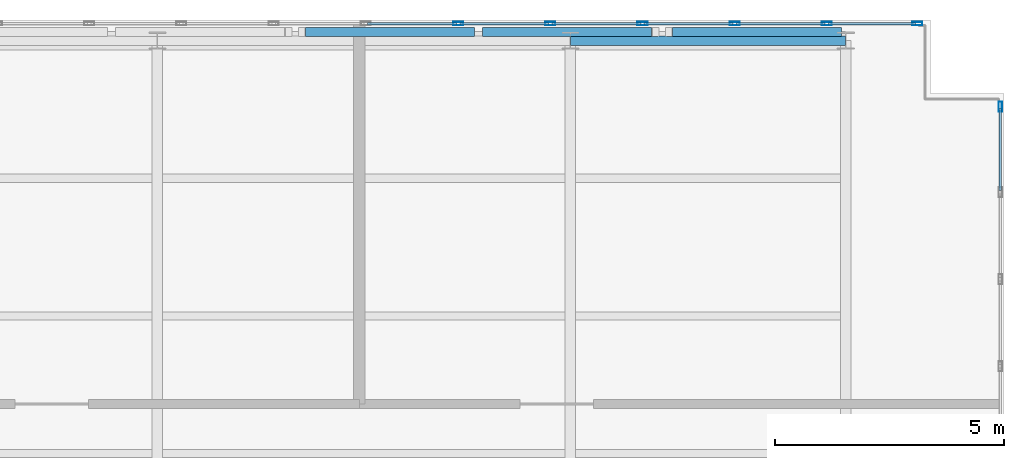
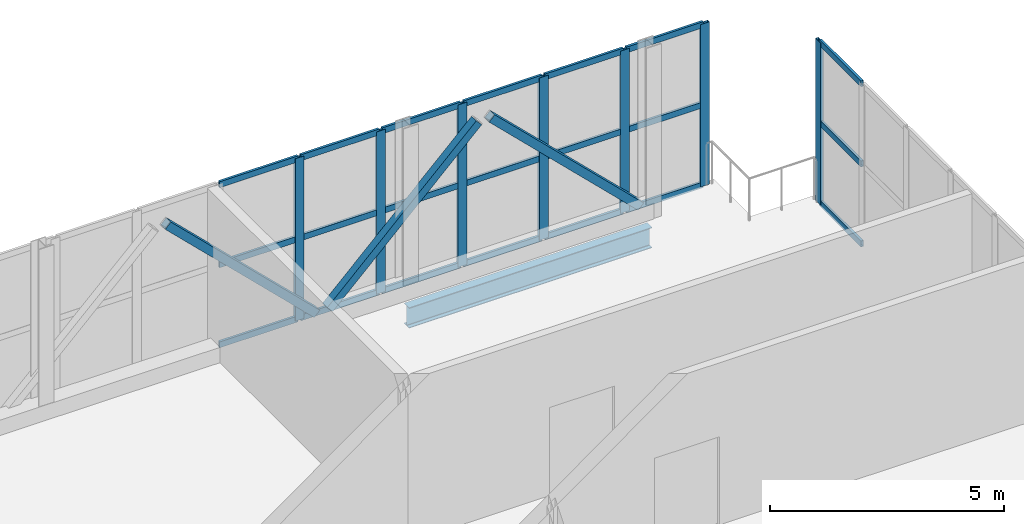
# One storey, part 15 of 21: 31 members, 1 beam, 2 elements without a shape of their own.
"""IFC4 building model written with IfcOpenShell, lengths in metres."""

import ifcopenshell
import ifcopenshell.guid

model = None  # the IFC model being written
_history = None  # IfcOwnerHistory: only IFC2X3 demands one
_inside = {}  # id of a spatial element -> (the spatial element, [elements in it])
_under = {}  # id of a project, library or spatial element -> (it, [spatial elements below it])
_declared = {}  # id of a project -> (the project, [libraries it declares])
_typed = {}  # id of a type object -> (the type object, [elements of that type])
_made_of = {}  # id of a material, layer set ... -> (it, [elements and type objects made of it])


def new_model(schema):
    """Start an empty IFC model of exactly this schema.

    Asked for "IFC4X3", IfcOpenShell would pick the latest addendum, in which some entities
    have other attributes; the version numbers below select the first issue.
    IFC2X3 requires an IfcOwnerHistory on every rooted entity: one is made here for all.
    """
    global model, _history
    if schema == "IFC4X3":
        model = ifcopenshell.file(schema_version=(4, 3, 0, 0))
    else:
        model = ifcopenshell.file(schema=schema)
    _inside.clear()
    _under.clear()
    _declared.clear()
    _typed.clear()
    _made_of.clear()
    _history = None
    if model.schema == "IFC2X3":
        org = make("IfcOrganization", Name="unknown")
        user = make(
            "IfcPersonAndOrganization",
            ThePerson=make("IfcPerson", FamilyName="unknown"),
            TheOrganization=org,
        )
        app = make(
            "IfcApplication",
            ApplicationDeveloper=org,
            Version="unknown",
            ApplicationFullName="unknown",
            ApplicationIdentifier="unknown",
        )
        _history = make(
            "IfcOwnerHistory",
            OwningUser=user,
            OwningApplication=app,
            ChangeAction="ADDED",
            CreationDate=0,
        )
    return model


def make(cls, **values):
    """One entity of the class cls with the attributes given. An attribute that is None is left unset."""
    return model.create_entity(
        cls, **{name: value for name, value in values.items() if value is not None}
    )


def rooted(cls, **values):
    """An entity with a GlobalId (a new one), such as an element, a storey or a relation."""
    return make(cls, GlobalId=ifcopenshell.guid.new(), OwnerHistory=_history, **values)


def si_unit(unit_type, name, prefix=None):
    """IfcSIUnit, for example si_unit("LENGTHUNIT", "METRE", prefix="MILLI")."""
    return make("IfcSIUnit", UnitType=unit_type, Prefix=prefix, Name=name)


def assignment(units):
    """IfcUnitAssignment: the units of a project."""
    return None if units is None else make("IfcUnitAssignment", Units=units)


def point(xyz):
    """IfcCartesianPoint."""
    return None if xyz is None else make("IfcCartesianPoint", Coordinates=xyz)


def direction(xyz):
    """IfcDirection."""
    return None if xyz is None else make("IfcDirection", DirectionRatios=xyz)


def frame(location, z_axis=None, x_axis=None):
    """IfcAxis2Placement3D, a coordinate frame: its origin and axes. An axis left out is left unset."""
    return make(
        "IfcAxis2Placement3D",
        Location=point(location),
        Axis=direction(z_axis),
        RefDirection=direction(x_axis),
    )


def frame_2d(location, x_axis=None):
    """IfcAxis2Placement2D, a coordinate frame in the plane: its origin and x axis."""
    return make(
        "IfcAxis2Placement2D", Location=point(location), RefDirection=direction(x_axis)
    )


def origin():
    """The frame at (0, 0, 0) with its axes left unset."""
    return frame((0.0, 0.0, 0.0))


def origin_2d():
    """The frame at (0, 0) in the plane with its x axis left unset."""
    return frame_2d((0.0, 0.0))


def place(relative_to, where):
    """IfcLocalPlacement: puts the frame where relative to a parent placement (None: the world)."""
    return make(
        "IfcLocalPlacement", PlacementRelTo=relative_to, RelativePlacement=where
    )


def context(
    kind, dimensions, precision=None, world=None, true_north=None, identifier=None
):
    """IfcGeometricRepresentationContext, for example the 3D "Model" context."""
    return make(
        "IfcGeometricRepresentationContext",
        ContextIdentifier=identifier,
        ContextType=kind,
        CoordinateSpaceDimension=dimensions,
        Precision=precision,
        WorldCoordinateSystem=world,
        TrueNorth=true_north,
    )


def subcontext(parent, identifier, kind, view, scale=None):
    """IfcGeometricRepresentationSubContext, for example "Body" below "Model"."""
    return make(
        "IfcGeometricRepresentationSubContext",
        ContextIdentifier=identifier,
        ContextType=kind,
        ParentContext=parent,
        TargetScale=scale,
        TargetView=view,
    )


def project(units=None, contexts=None):
    """IfcProject with its units and contexts."""
    return rooted(
        "IfcProject",
        Name="project",
        RepresentationContexts=contexts,
        UnitsInContext=assignment(units),
    )


def spatial(cls, under=None, at=None, **own):
    """A site, building, storey or space (cls), placed at a placement, below another one or the project."""
    s = rooted(cls, ObjectPlacement=at, **own)
    if under is not None:
        _under.setdefault(under.id(), (under, []))[1].append(s)
    return s


def profile(cls, at=None, kind="AREA", **sizes):
    """A parametric profile (cls). Its sizes go by their IFC names, for example OverallWidth=200.0."""
    return make(cls, ProfileType=kind, Position=at, **sizes)


def hollow_rectangle(**sizes):
    """IfcRectangleHollowProfileDef."""
    return profile("IfcRectangleHollowProfileDef", **sizes)


def i_section(**sizes):
    """IfcIShapeProfileDef."""
    return profile("IfcIShapeProfileDef", **sizes)


def extrude(swept, where, along, depth):
    """IfcExtrudedAreaSolid: the profile swept, set in the frame where, extruded along a direction by depth."""
    return make(
        "IfcExtrudedAreaSolid",
        SweptArea=swept,
        Position=where,
        ExtrudedDirection=direction(along),
        Depth=depth,
    )


def shape(context_of_items, identifier, shape_type, items):
    """IfcShapeRepresentation: the items that make up one representation, for example the "Body"."""
    return make(
        "IfcShapeRepresentation",
        ContextOfItems=context_of_items,
        RepresentationIdentifier=identifier,
        RepresentationType=shape_type,
        Items=items,
    )


def material(Name=None, Category=None):
    """IfcMaterial."""
    return make("IfcMaterial", Name=Name, Category=Category)


def layer(
    of_material, thickness, ventilated=None, Name=None, Category=None, Priority=None
):
    """IfcMaterialLayer: one layer of a wall or slab, of a material (None: an air gap)."""
    return make(
        "IfcMaterialLayer",
        Material=of_material,
        LayerThickness=thickness,
        IsVentilated=ventilated,
        Name=Name,
        Category=Category,
        Priority=Priority,
    )


def layer_set(layers, Name=None):
    """IfcMaterialLayerSet."""
    return make("IfcMaterialLayerSet", MaterialLayers=layers, LayerSetName=Name)


def material_profile(
    of_material, cross_section, Name=None, Category=None, Priority=None
):
    """IfcMaterialProfile: a cross section and its material."""
    return make(
        "IfcMaterialProfile",
        Name=Name,
        Material=of_material,
        Profile=cross_section,
        Priority=Priority,
        Category=Category,
    )


def profile_set(profiles, Name=None, composite=None):
    """IfcMaterialProfileSet."""
    return make(
        "IfcMaterialProfileSet",
        Name=Name,
        MaterialProfiles=profiles,
        CompositeProfile=composite,
    )


def made_of(thing, what):
    """Note that an element or type object is made of a material, layer set ...; save() writes the relation."""
    if what is not None:
        _made_of.setdefault(what.id(), (what, []))[1].append(thing)
    return thing


def type_object(cls, material=None, **own):
    """A type object (cls), such as IfcWallType, which elements share."""
    return made_of(rooted(cls, **own), material)


def element(
    cls,
    number,
    at=None,
    inside=None,
    cuts=None,
    type_object=None,
    material=None,
    context=None,
    identifier="Body",
    shape_type=None,
    held_by="IfcProductDefinitionShape",
    body=None,
    shapes=None,
    **own,
):
    """One element of the class cls, such as IfcWall. Its Tag is "e" and its number.

    at: its placement. inside: the storey or other place that contains it. cuts: it is an
    opening in that element (IfcRelVoidsElement). A single representation is given by context,
    identifier, shape_type and body (its items); several are given by shapes. held_by: the class
    of the entity that holds the representations. save() writes the other relations.
    """
    e = rooted(cls, Tag="e%d" % number, ObjectPlacement=at, **own)
    if body is not None:
        shapes = [shape(context, identifier, shape_type, body)]
    if shapes is not None:
        e.Representation = make(held_by, Representations=shapes)
    if inside is not None:
        _inside.setdefault(inside.id(), (inside, []))[1].append(e)
    if cuts is not None:
        rooted(
            "IfcRelVoidsElement", RelatingBuildingElement=cuts, RelatedOpeningElement=e
        )
    if type_object is not None:
        _typed.setdefault(type_object.id(), (type_object, []))[1].append(e)
    return made_of(e, material)


def aggregate(whole, parts):
    """IfcRelAggregates: a whole, such as a stair, and the parts it consists of."""
    return rooted("IfcRelAggregates", RelatingObject=whole, RelatedObjects=parts)


def save(model, path):
    """Write the relations noted so far, then the file.

    IfcRelAggregates (storeys below a building ...), IfcRelContainedInSpatialStructure (elements
    in a storey), IfcRelDefinesByType, IfcRelAssociatesMaterial and IfcRelDeclares: one each for
    every whole, place, type object, material and project.
    """
    for whole, parts in _under.values():
        aggregate(whole, parts)
    for where, things in _inside.values():
        rooted(
            "IfcRelContainedInSpatialStructure",
            RelatedElements=things,
            RelatingStructure=where,
        )
    for kind, things in _typed.values():
        rooted("IfcRelDefinesByType", RelatedObjects=things, RelatingType=kind)
    for what, things in _made_of.values():
        rooted("IfcRelAssociatesMaterial", RelatedObjects=things, RelatingMaterial=what)
    for by, libraries in _declared.values():
        rooted("IfcRelDeclares", RelatingContext=by, RelatedDefinitions=libraries)
    model.write(path)


model = new_model("IFC4")

# Units and contexts
model_context = context("Model", 3, precision=1e-05, world=origin(), true_north=direction((0.0, 1.0)))
body_context = subcontext(model_context, "Body", "Model", "MODEL_VIEW")
ifc_project = project(units=[si_unit("LENGTHUNIT", "METRE"), si_unit("AREAUNIT", "SQUARE_METRE"), si_unit("VOLUMEUNIT", "CUBIC_METRE"), si_unit("PLANEANGLEUNIT", "RADIAN"), si_unit("MASSUNIT", "GRAM", prefix="KILO")], contexts=[model_context])

# Site, building, storey
site_placement = place(None, origin())
site = spatial("IfcSite", under=ifc_project, at=site_placement, CompositionType="ELEMENT")
building_placement = place(site_placement, origin())
building = spatial("IfcBuilding", under=site, at=building_placement, Name="Mawjdan Bourse Tower", CompositionType="ELEMENT")
storey_placement = place(building_placement, frame((0.0, 0.0, 317.699951171875)))
storey = spatial("IfcBuildingStorey", under=building, at=storey_placement, Name="L78", CompositionType="ELEMENT", Elevation=317.699951171875)

# Members
ifc_material_1 = material(Name="Structural Steel S355", Category="steel")
ifc_material_profile_1 = material_profile(ifc_material_1, hollow_rectangle(XDim=0.199951171875, YDim=0.199951171875, WallThickness=0.010009765625, at=origin_2d()), Name="HSS200X200X10")
ifc_profile_set_1 = profile_set([ifc_material_profile_1], Name="Structural Steel S355")
member_type_1 = type_object("IfcMemberType", Name="BRC-HSS200X200X10", PredefinedType="BRACE", material=ifc_profile_set_1)
for number, where, z_axis, x_axis, name in (
    (1, (36.159912109375, 21.18994140625, 3.7900390625), (0.715813788729, 0.0, -0.698291214227), (0.0, 1.0, 0.0), "L78 Lantern Crown Braced Frame North Diagonal 4"),
    (2, (40.159912109375, 21.18994140625, 0.199951171875), (0.715813788729, 0.0, 0.698291214227), (0.0, 1.0, 0.0), "L78 Lantern Crown Braced Frame North Diagonal 5"),
    (3, (44.159912109375, 21.18994140625, 3.7900390625), (0.715813788729, 0.0, -0.698291214227), (0.0, 1.0, 0.0), "L78 Lantern Crown Braced Frame North Diagonal 6"),
):
    element("IfcMember", number, at=place(storey_placement, frame(where, z_axis=z_axis, x_axis=x_axis)), inside=storey, type_object=member_type_1, Name=name, PredefinedType="BRACE", context=body_context, shape_type="SweptSolid", body=[
        extrude(hollow_rectangle(XDim=0.199951171875, YDim=0.199951171875, WallThickness=0.010009765625, at=origin_2d()), origin(), (0.0, 0.0, 1.0), 5.141357421875),
    ])

# Curtain wall, member
ifc_material_2 = material(Name="Thermally Broken Aluminium and Solar Glass", Category="aluminium")
ifc_layer = layer(ifc_material_2, 0.219970703125)
ifc_layer_set = layer_set([ifc_layer], Name="Thermally Broken Aluminium and Solar Glass")
curtain_wall_type = type_object("IfcCurtainWallType", Name="CW-CRN", PredefinedType="USERDEFINED", material=ifc_layer_set)
curtain_wall_1_placement = place(storey_placement, origin())
curtain_wall_1 = element("IfcCurtainWall", 4, at=curtain_wall_1_placement, inside=storey, type_object=curtain_wall_type, Name="L78 Lantern Crown East Curtain Wall", ObjectType="LANTERN GLAZED CROWN", PredefinedType="USERDEFINED")
ifc_material_3 = material(Name="Thermally Broken Anodised Aluminium", Category="aluminium")
ifc_material_profile_2 = material_profile(ifc_material_3, hollow_rectangle(XDim=0.074951171875, YDim=0.219970703125, WallThickness=0.0048828125, at=origin_2d()), Name="ALU-MUL-220X75")
ifc_profile_set_2 = profile_set([ifc_material_profile_2], Name="Thermally Broken Anodised Aluminium")
member_type_2 = type_object("IfcMemberType", Name="MUL-ALU-MUL-220X75", PredefinedType="MULLION", material=ifc_profile_set_2)
member_1_placement = place(storey_placement, frame((51.3701171875, 19.5625, 0.0), z_axis=(0.0, 0.0, 1.0), x_axis=(-1.0, 0.0, 0.0)))
member_1 = element("IfcMember", 5, at=member_1_placement, type_object=member_type_2, Name="CW-CRN-L78-CRN-E mullion 9", PredefinedType="MULLION", context=body_context, shape_type="SweptSolid", body=[
    extrude(hollow_rectangle(XDim=0.074951171875, YDim=0.219970703125, WallThickness=0.0048828125, at=origin_2d()), origin(), (0.0, 0.0, 1.0), 4.239990234375),
])

# Curtain wall, members
curtain_wall_2_placement = place(storey_placement, origin())
curtain_wall_2 = element("IfcCurtainWall", 6, at=curtain_wall_2_placement, inside=storey, type_object=curtain_wall_type, Name="L78 Lantern Crown North Curtain Wall", ObjectType="LANTERN GLAZED CROWN", PredefinedType="USERDEFINED")
member_2_placement = place(storey_placement, frame((49.5625, 21.3701171875, 0.0), z_axis=(0.0, 0.0, 1.0), x_axis=(0.0, -1.0, 0.0)))
member_2 = element("IfcMember", 7, at=member_2_placement, type_object=member_type_2, Name="CW-CRN-L78-CRN-N mullion 1", PredefinedType="MULLION", context=body_context, shape_type="SweptSolid", body=[
    extrude(hollow_rectangle(XDim=0.074951171875, YDim=0.219970703125, WallThickness=0.0048828125, at=origin_2d()), origin(), (0.0, 0.0, 1.0), 4.239990234375),
])
member_3_placement = place(storey_placement, frame((47.590576171875, 21.3701171875, 0.0), z_axis=(0.0, 0.0, 1.0), x_axis=(0.0, -1.0, 0.0)))
member_3 = element("IfcMember", 8, at=member_3_placement, type_object=member_type_2, Name="CW-CRN-L78-CRN-N mullion 2", PredefinedType="MULLION", context=body_context, shape_type="SweptSolid", body=[
    extrude(hollow_rectangle(XDim=0.074951171875, YDim=0.219970703125, WallThickness=0.0048828125, at=origin_2d()), origin(), (0.0, 0.0, 1.0), 4.239990234375),
])
member_4_placement = place(storey_placement, frame((45.5810546875, 21.3701171875, 0.0), z_axis=(0.0, 0.0, 1.0), x_axis=(0.0, -1.0, 0.0)))
member_4 = element("IfcMember", 9, at=member_4_placement, type_object=member_type_2, Name="CW-CRN-L78-CRN-N mullion 3", PredefinedType="MULLION", context=body_context, shape_type="SweptSolid", body=[
    extrude(hollow_rectangle(XDim=0.074951171875, YDim=0.219970703125, WallThickness=0.0048828125, at=origin_2d()), origin(), (0.0, 0.0, 1.0), 4.239990234375),
])
member_5_placement = place(storey_placement, frame((43.571533203125, 21.3701171875, 0.0), z_axis=(0.0, 0.0, 1.0), x_axis=(0.0, -1.0, 0.0)))
member_5 = element("IfcMember", 10, at=member_5_placement, type_object=member_type_2, Name="CW-CRN-L78-CRN-N mullion 4", PredefinedType="MULLION", context=body_context, shape_type="SweptSolid", body=[
    extrude(hollow_rectangle(XDim=0.074951171875, YDim=0.219970703125, WallThickness=0.0048828125, at=origin_2d()), origin(), (0.0, 0.0, 1.0), 4.239990234375),
])
member_6_placement = place(storey_placement, frame((41.56201171875, 21.3701171875, 0.0), z_axis=(0.0, 0.0, 1.0), x_axis=(0.0, -1.0, 0.0)))
member_6 = element("IfcMember", 11, at=member_6_placement, type_object=member_type_2, Name="CW-CRN-L78-CRN-N mullion 5", PredefinedType="MULLION", context=body_context, shape_type="SweptSolid", body=[
    extrude(hollow_rectangle(XDim=0.074951171875, YDim=0.219970703125, WallThickness=0.0048828125, at=origin_2d()), origin(), (0.0, 0.0, 1.0), 4.239990234375),
])
member_7_placement = place(storey_placement, frame((39.552490234375, 21.3701171875, 0.0), z_axis=(0.0, 0.0, 1.0), x_axis=(0.0, -1.0, 0.0)))
member_7 = element("IfcMember", 12, at=member_7_placement, type_object=member_type_2, Name="CW-CRN-L78-CRN-N mullion 6", PredefinedType="MULLION", context=body_context, shape_type="SweptSolid", body=[
    extrude(hollow_rectangle(XDim=0.074951171875, YDim=0.219970703125, WallThickness=0.0048828125, at=origin_2d()), origin(), (0.0, 0.0, 1.0), 4.239990234375),
])

# Beam
ifc_material_profile_3 = material_profile(ifc_material_1, i_section(OverallWidth=0.2099609375, OverallDepth=0.537109375, WebThickness=0.010986328125, FlangeThickness=0.017333984375, FilletRadius=0.013916015625, at=origin_2d()), Name="W21X68")
ifc_profile_set_3 = profile_set([ifc_material_profile_3], Name="Structural Steel S355")
beam_type = type_object("IfcBeamType", Name="SPN-W21X68", PredefinedType="SPANDREL", material=ifc_profile_set_3)
beam_placement = place(storey_placement, frame((42.0, 21.0, -0.54833984375), z_axis=(1.0, 0.0, 0.0), x_axis=(0.0, 1.0, 0.0)))
element("IfcBeam", 13, at=beam_placement, inside=storey, type_object=beam_type, Name="L78 Perimeter Masonry-Shelf Spandrel 010", PredefinedType="SPANDREL", context=body_context, shape_type="SweptSolid", body=[
    extrude(i_section(OverallWidth=0.2099609375, OverallDepth=0.537109375, WebThickness=0.010986328125, FlangeThickness=0.017333984375, FilletRadius=0.013916015625, at=origin_2d()), origin(), (0.0, 0.0, 1.0), 6.0),
])

# Member
ifc_material_profile_4 = material_profile(ifc_material_3, hollow_rectangle(XDim=0.06005859375, YDim=0.155029296875, WallThickness=0.00390625, at=origin_2d()), Name="ALU-TRN-155X60")
ifc_profile_set_4 = profile_set([ifc_material_profile_4], Name="Thermally Broken Anodised Aluminium")
member_type_3 = type_object("IfcMemberType", Name="TRN-ALU-TRN-155X60", PredefinedType="USERDEFINED", material=ifc_profile_set_4)
member_8_placement = place(storey_placement, frame((51.3701171875, 17.737548828125, 0.030029296875), z_axis=(0.0, 1.0, 0.0), x_axis=(-1.0, 0.0, 0.0)))
member_8 = element("IfcMember", 14, at=member_8_placement, type_object=member_type_3, Name="CW-CRN-L78-CRN-E transom 8.1", ObjectType="TRANSOM", PredefinedType="USERDEFINED", context=body_context, shape_type="SweptSolid", body=[
    extrude(hollow_rectangle(XDim=0.06005859375, YDim=0.155029296875, WallThickness=0.00390625, at=origin_2d()), origin(), (0.0, 0.0, 1.0), 1.787353515625),
])

member_9_placement = place(storey_placement, frame((51.3701171875, 17.737548828125, 2.1201171875), z_axis=(0.0, 1.0, 0.0), x_axis=(-1.0, 0.0, 0.0)))
member_9 = element("IfcMember", 15, at=member_9_placement, type_object=member_type_3, Name="CW-CRN-L78-CRN-E transom 8.2", ObjectType="TRANSOM", PredefinedType="USERDEFINED", context=body_context, shape_type="SweptSolid", body=[
    extrude(hollow_rectangle(XDim=0.06005859375, YDim=0.155029296875, WallThickness=0.00390625, at=origin_2d()), origin(), (0.0, 0.0, 1.0), 1.787353515625),
])

member_10_placement = place(storey_placement, frame((51.3701171875, 17.737548828125, 4.2099609375), z_axis=(0.0, 1.0, 0.0), x_axis=(-1.0, 0.0, 0.0)))
member_10 = element("IfcMember", 16, at=member_10_placement, type_object=member_type_3, Name="CW-CRN-L78-CRN-E transom 8.3", ObjectType="TRANSOM", PredefinedType="USERDEFINED", context=body_context, shape_type="SweptSolid", body=[
    extrude(hollow_rectangle(XDim=0.06005859375, YDim=0.155029296875, WallThickness=0.00390625, at=origin_2d()), origin(), (0.0, 0.0, 1.0), 1.787353515625),
])

aggregate(curtain_wall_1, [member_1, member_8, member_9, member_10])

member_11_placement = place(storey_placement, frame((49.52490234375, 21.3701171875, 0.030029296875), z_axis=(-1.0, 0.0, 0.0), x_axis=(0.0, -1.0, 0.0)))
member_11 = element("IfcMember", 17, at=member_11_placement, type_object=member_type_3, Name="CW-CRN-L78-CRN-N transom 1.1", ObjectType="TRANSOM", PredefinedType="USERDEFINED", context=body_context, shape_type="SweptSolid", body=[
    extrude(hollow_rectangle(XDim=0.06005859375, YDim=0.155029296875, WallThickness=0.00390625, at=origin_2d()), origin(), (0.0, 0.0, 1.0), 1.89697265625),
])

member_12_placement = place(storey_placement, frame((49.52490234375, 21.3701171875, 2.1201171875), z_axis=(-1.0, 0.0, 0.0), x_axis=(0.0, -1.0, 0.0)))
member_12 = element("IfcMember", 18, at=member_12_placement, type_object=member_type_3, Name="CW-CRN-L78-CRN-N transom 1.2", ObjectType="TRANSOM", PredefinedType="USERDEFINED", context=body_context, shape_type="SweptSolid", body=[
    extrude(hollow_rectangle(XDim=0.06005859375, YDim=0.155029296875, WallThickness=0.00390625, at=origin_2d()), origin(), (0.0, 0.0, 1.0), 1.89697265625),
])

member_13_placement = place(storey_placement, frame((49.52490234375, 21.3701171875, 4.2099609375), z_axis=(-1.0, 0.0, 0.0), x_axis=(0.0, -1.0, 0.0)))
member_13 = element("IfcMember", 19, at=member_13_placement, type_object=member_type_3, Name="CW-CRN-L78-CRN-N transom 1.3", ObjectType="TRANSOM", PredefinedType="USERDEFINED", context=body_context, shape_type="SweptSolid", body=[
    extrude(hollow_rectangle(XDim=0.06005859375, YDim=0.155029296875, WallThickness=0.00390625, at=origin_2d()), origin(), (0.0, 0.0, 1.0), 1.89697265625),
])

member_14_placement = place(storey_placement, frame((47.552978515625, 21.3701171875, 0.030029296875), z_axis=(-1.0, 0.0, 0.0), x_axis=(0.0, -1.0, 0.0)))
member_14 = element("IfcMember", 20, at=member_14_placement, type_object=member_type_3, Name="CW-CRN-L78-CRN-N transom 2.1", ObjectType="TRANSOM", PredefinedType="USERDEFINED", context=body_context, shape_type="SweptSolid", body=[
    extrude(hollow_rectangle(XDim=0.06005859375, YDim=0.155029296875, WallThickness=0.00390625, at=origin_2d()), origin(), (0.0, 0.0, 1.0), 1.9345703125),
])

member_15_placement = place(storey_placement, frame((47.552978515625, 21.3701171875, 2.1201171875), z_axis=(-1.0, 0.0, 0.0), x_axis=(0.0, -1.0, 0.0)))
member_15 = element("IfcMember", 21, at=member_15_placement, type_object=member_type_3, Name="CW-CRN-L78-CRN-N transom 2.2", ObjectType="TRANSOM", PredefinedType="USERDEFINED", context=body_context, shape_type="SweptSolid", body=[
    extrude(hollow_rectangle(XDim=0.06005859375, YDim=0.155029296875, WallThickness=0.00390625, at=origin_2d()), origin(), (0.0, 0.0, 1.0), 1.9345703125),
])

member_16_placement = place(storey_placement, frame((47.552978515625, 21.3701171875, 4.2099609375), z_axis=(-1.0, 0.0, 0.0), x_axis=(0.0, -1.0, 0.0)))
member_16 = element("IfcMember", 22, at=member_16_placement, type_object=member_type_3, Name="CW-CRN-L78-CRN-N transom 2.3", ObjectType="TRANSOM", PredefinedType="USERDEFINED", context=body_context, shape_type="SweptSolid", body=[
    extrude(hollow_rectangle(XDim=0.06005859375, YDim=0.155029296875, WallThickness=0.00390625, at=origin_2d()), origin(), (0.0, 0.0, 1.0), 1.9345703125),
])

member_17_placement = place(storey_placement, frame((45.54345703125, 21.3701171875, 0.030029296875), z_axis=(-1.0, 0.0, 0.0), x_axis=(0.0, -1.0, 0.0)))
member_17 = element("IfcMember", 23, at=member_17_placement, type_object=member_type_3, Name="CW-CRN-L78-CRN-N transom 3.1", ObjectType="TRANSOM", PredefinedType="USERDEFINED", context=body_context, shape_type="SweptSolid", body=[
    extrude(hollow_rectangle(XDim=0.06005859375, YDim=0.155029296875, WallThickness=0.00390625, at=origin_2d()), origin(), (0.0, 0.0, 1.0), 1.9345703125),
])

member_18_placement = place(storey_placement, frame((45.54345703125, 21.3701171875, 2.1201171875), z_axis=(-1.0, 0.0, 0.0), x_axis=(0.0, -1.0, 0.0)))
member_18 = element("IfcMember", 24, at=member_18_placement, type_object=member_type_3, Name="CW-CRN-L78-CRN-N transom 3.2", ObjectType="TRANSOM", PredefinedType="USERDEFINED", context=body_context, shape_type="SweptSolid", body=[
    extrude(hollow_rectangle(XDim=0.06005859375, YDim=0.155029296875, WallThickness=0.00390625, at=origin_2d()), origin(), (0.0, 0.0, 1.0), 1.9345703125),
])

member_19_placement = place(storey_placement, frame((45.54345703125, 21.3701171875, 4.2099609375), z_axis=(-1.0, 0.0, 0.0), x_axis=(0.0, -1.0, 0.0)))
member_19 = element("IfcMember", 25, at=member_19_placement, type_object=member_type_3, Name="CW-CRN-L78-CRN-N transom 3.3", ObjectType="TRANSOM", PredefinedType="USERDEFINED", context=body_context, shape_type="SweptSolid", body=[
    extrude(hollow_rectangle(XDim=0.06005859375, YDim=0.155029296875, WallThickness=0.00390625, at=origin_2d()), origin(), (0.0, 0.0, 1.0), 1.9345703125),
])

member_20_placement = place(storey_placement, frame((43.533935546875, 21.3701171875, 0.030029296875), z_axis=(-1.0, 0.0, 0.0), x_axis=(0.0, -1.0, 0.0)))
member_20 = element("IfcMember", 26, at=member_20_placement, type_object=member_type_3, Name="CW-CRN-L78-CRN-N transom 4.1", ObjectType="TRANSOM", PredefinedType="USERDEFINED", context=body_context, shape_type="SweptSolid", body=[
    extrude(hollow_rectangle(XDim=0.06005859375, YDim=0.155029296875, WallThickness=0.00390625, at=origin_2d()), origin(), (0.0, 0.0, 1.0), 1.9345703125),
])

member_21_placement = place(storey_placement, frame((43.533935546875, 21.3701171875, 2.1201171875), z_axis=(-1.0, 0.0, 0.0), x_axis=(0.0, -1.0, 0.0)))
member_21 = element("IfcMember", 27, at=member_21_placement, type_object=member_type_3, Name="CW-CRN-L78-CRN-N transom 4.2", ObjectType="TRANSOM", PredefinedType="USERDEFINED", context=body_context, shape_type="SweptSolid", body=[
    extrude(hollow_rectangle(XDim=0.06005859375, YDim=0.155029296875, WallThickness=0.00390625, at=origin_2d()), origin(), (0.0, 0.0, 1.0), 1.9345703125),
])

member_22_placement = place(storey_placement, frame((43.533935546875, 21.3701171875, 4.2099609375), z_axis=(-1.0, 0.0, 0.0), x_axis=(0.0, -1.0, 0.0)))
member_22 = element("IfcMember", 28, at=member_22_placement, type_object=member_type_3, Name="CW-CRN-L78-CRN-N transom 4.3", ObjectType="TRANSOM", PredefinedType="USERDEFINED", context=body_context, shape_type="SweptSolid", body=[
    extrude(hollow_rectangle(XDim=0.06005859375, YDim=0.155029296875, WallThickness=0.00390625, at=origin_2d()), origin(), (0.0, 0.0, 1.0), 1.9345703125),
])

member_23_placement = place(storey_placement, frame((41.5244140625, 21.3701171875, 0.030029296875), z_axis=(-1.0, 0.0, 0.0), x_axis=(0.0, -1.0, 0.0)))
member_23 = element("IfcMember", 29, at=member_23_placement, type_object=member_type_3, Name="CW-CRN-L78-CRN-N transom 5.1", ObjectType="TRANSOM", PredefinedType="USERDEFINED", context=body_context, shape_type="SweptSolid", body=[
    extrude(hollow_rectangle(XDim=0.06005859375, YDim=0.155029296875, WallThickness=0.00390625, at=origin_2d()), origin(), (0.0, 0.0, 1.0), 1.9345703125),
])

member_24_placement = place(storey_placement, frame((41.5244140625, 21.3701171875, 2.1201171875), z_axis=(-1.0, 0.0, 0.0), x_axis=(0.0, -1.0, 0.0)))
member_24 = element("IfcMember", 30, at=member_24_placement, type_object=member_type_3, Name="CW-CRN-L78-CRN-N transom 5.2", ObjectType="TRANSOM", PredefinedType="USERDEFINED", context=body_context, shape_type="SweptSolid", body=[
    extrude(hollow_rectangle(XDim=0.06005859375, YDim=0.155029296875, WallThickness=0.00390625, at=origin_2d()), origin(), (0.0, 0.0, 1.0), 1.9345703125),
])

member_25_placement = place(storey_placement, frame((41.5244140625, 21.3701171875, 4.2099609375), z_axis=(-1.0, 0.0, 0.0), x_axis=(0.0, -1.0, 0.0)))
member_25 = element("IfcMember", 31, at=member_25_placement, type_object=member_type_3, Name="CW-CRN-L78-CRN-N transom 5.3", ObjectType="TRANSOM", PredefinedType="USERDEFINED", context=body_context, shape_type="SweptSolid", body=[
    extrude(hollow_rectangle(XDim=0.06005859375, YDim=0.155029296875, WallThickness=0.00390625, at=origin_2d()), origin(), (0.0, 0.0, 1.0), 1.9345703125),
])

member_26_placement = place(storey_placement, frame((39.514892578125, 21.3701171875, 0.030029296875), z_axis=(-1.0, 0.0, 0.0), x_axis=(0.0, -1.0, 0.0)))
member_26 = element("IfcMember", 32, at=member_26_placement, type_object=member_type_3, Name="CW-CRN-L78-CRN-N transom 6.1", ObjectType="TRANSOM", PredefinedType="USERDEFINED", context=body_context, shape_type="SweptSolid", body=[
    extrude(hollow_rectangle(XDim=0.06005859375, YDim=0.155029296875, WallThickness=0.00390625, at=origin_2d()), origin(), (0.0, 0.0, 1.0), 1.9345703125),
])

member_27_placement = place(storey_placement, frame((39.514892578125, 21.3701171875, 2.1201171875), z_axis=(-1.0, 0.0, 0.0), x_axis=(0.0, -1.0, 0.0)))
member_27 = element("IfcMember", 33, at=member_27_placement, type_object=member_type_3, Name="CW-CRN-L78-CRN-N transom 6.2", ObjectType="TRANSOM", PredefinedType="USERDEFINED", context=body_context, shape_type="SweptSolid", body=[
    extrude(hollow_rectangle(XDim=0.06005859375, YDim=0.155029296875, WallThickness=0.00390625, at=origin_2d()), origin(), (0.0, 0.0, 1.0), 1.9345703125),
])

member_28_placement = place(storey_placement, frame((39.514892578125, 21.3701171875, 4.2099609375), z_axis=(-1.0, 0.0, 0.0), x_axis=(0.0, -1.0, 0.0)))
member_28 = element("IfcMember", 34, at=member_28_placement, type_object=member_type_3, Name="CW-CRN-L78-CRN-N transom 6.3", ObjectType="TRANSOM", PredefinedType="USERDEFINED", context=body_context, shape_type="SweptSolid", body=[
    extrude(hollow_rectangle(XDim=0.06005859375, YDim=0.155029296875, WallThickness=0.00390625, at=origin_2d()), origin(), (0.0, 0.0, 1.0), 1.9345703125),
])

aggregate(curtain_wall_2, [member_2, member_3, member_4, member_5, member_6, member_7, member_11, member_12, member_13, member_14, member_15, member_16, member_17, member_18, member_19, member_20, member_21, member_22, member_23, member_24, member_25, member_26, member_27, member_28])

save(model, "model.ifc")
